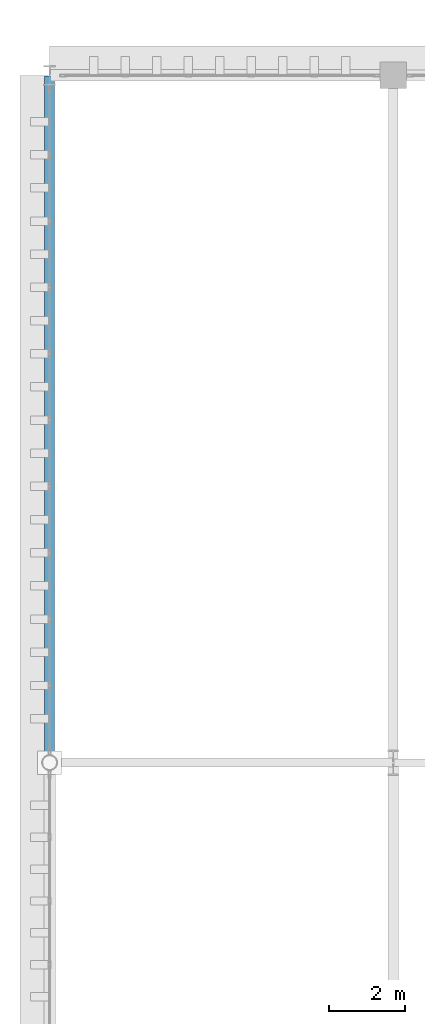
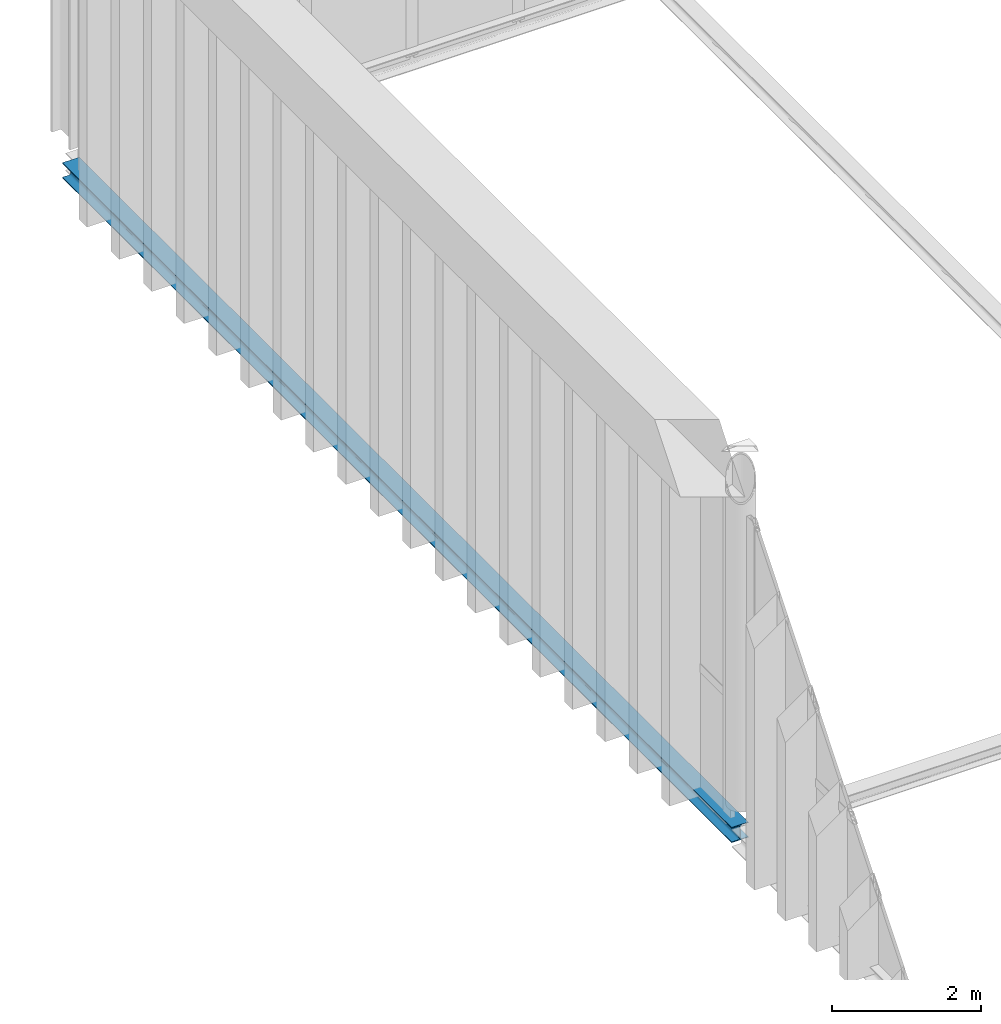
# One storey, part 97 of 237: 1 beam.
"""IFC4 building model written with IfcOpenShell, lengths in metres."""

from ifc_helpers import new_model, si_unit, direction, frame, origin, origin_2d, place, context, subcontext, project, spatial, i_section, extrude, material, material_profile, profile_set, type_object, element, save


model = new_model("IFC4")

# Units and contexts
model_context = context("Model", 3, precision=1e-05, world=origin(), true_north=direction((0.0, 1.0)))
body_context = subcontext(model_context, "Body", "Model", "MODEL_VIEW")
ifc_project = project(units=[si_unit("LENGTHUNIT", "METRE"), si_unit("AREAUNIT", "SQUARE_METRE"), si_unit("VOLUMEUNIT", "CUBIC_METRE"), si_unit("PLANEANGLEUNIT", "RADIAN"), si_unit("MASSUNIT", "GRAM", prefix="KILO")], contexts=[model_context])

# Site, building, storey
site_placement = place(None, origin())
site = spatial("IfcSite", under=ifc_project, at=site_placement, CompositionType="ELEMENT")
building_placement = place(site_placement, origin())
building = spatial("IfcBuilding", under=site, at=building_placement, Name="Barlavento Convention Centre", CompositionType="ELEMENT")
storey_placement = place(building_placement, frame((0.0, 0.0, 12.0)))
storey = spatial("IfcBuildingStorey", under=building, at=storey_placement, Name="L02", CompositionType="ELEMENT", Elevation=12.0)

# Beam
ifc_material = material(Name="Steel S355", Category="steel")
ifc_material_profile = material_profile(ifc_material, i_section(OverallWidth=0.260009765625, OverallDepth=0.25, WebThickness=0.007568359375, FlangeThickness=0.012451171875, FilletRadius=0.02392578125, at=origin_2d()), Name="HEA 260")
ifc_profile_set = profile_set([ifc_material_profile], Name="Steel S355")
beam_type = type_object("IfcBeamType", Name="STR-BM-SPN-HEA260", PredefinedType="SPANDREL", material=ifc_profile_set)
beam_placement = place(storey_placement, frame((0.0, 117.02001953125, -0.485107421875), z_axis=(0.0, 1.0, 0.0), x_axis=(-1.0, 0.0, 0.0)))
element("IfcBeam", 1, at=beam_placement, inside=storey, type_object=beam_type, Name="L02 grid girder SP04", PredefinedType="SPANDREL", context=body_context, shape_type="SweptSolid", body=[
    extrude(i_section(OverallWidth=0.260009765625, OverallDepth=0.25, WebThickness=0.007568359375, FlangeThickness=0.012451171875, FilletRadius=0.02392578125, at=origin_2d()), origin(), (0.0, 0.0, 1.0), 17.9599609375),
])

save(model, "model.ifc")
